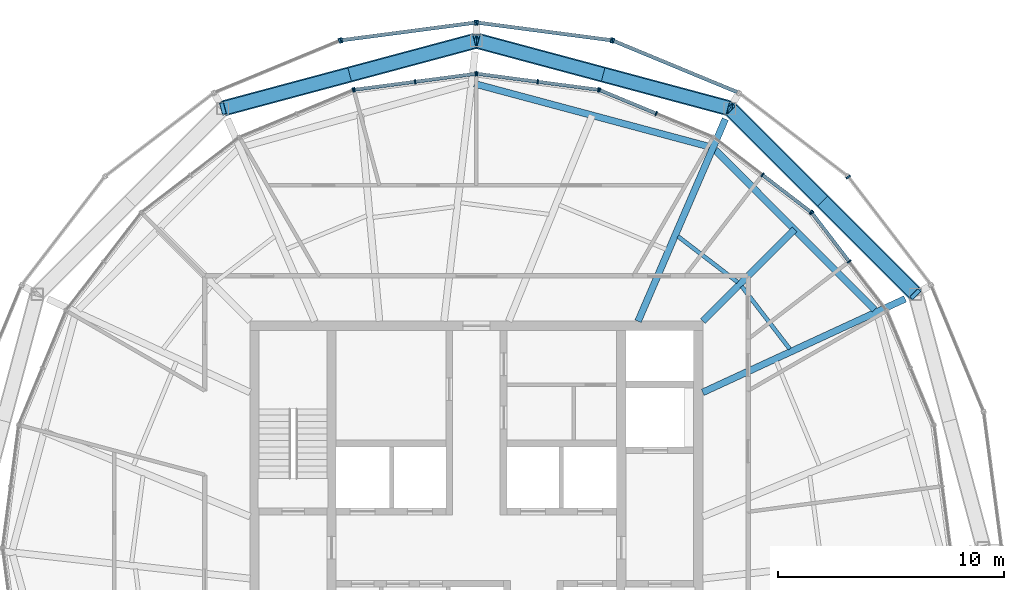
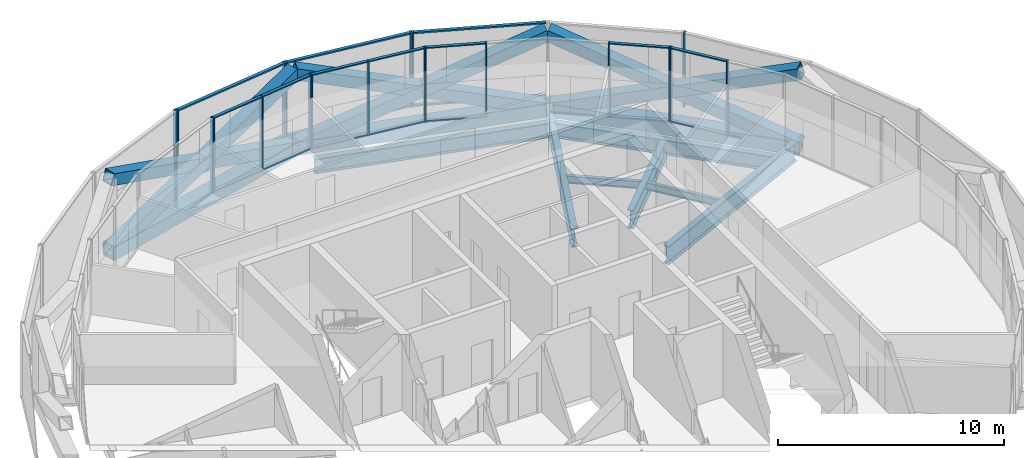
# One storey, part 8 of 17: 46 members, 10 beams, 11 elements without a shape of their own.
"""IFC4 building model written with IfcOpenShell, lengths in metres."""

from ifc_helpers import new_model, si_unit, direction, frame, origin, origin_2d, place, context, subcontext, project, spatial, rectangle, hollow_rectangle, i_section, extrude, material, material_profile, profile_set, type_object, element, aggregate, save


model = new_model("IFC4")

# Units and contexts
model_context = context("Model", 3, precision=1e-05, world=origin(), true_north=direction((0.0, 1.0)))
body_context = subcontext(model_context, "Body", "Model", "MODEL_VIEW")
ifc_project = project(units=[si_unit("LENGTHUNIT", "METRE"), si_unit("AREAUNIT", "SQUARE_METRE"), si_unit("VOLUMEUNIT", "CUBIC_METRE"), si_unit("PLANEANGLEUNIT", "RADIAN"), si_unit("MASSUNIT", "GRAM", prefix="KILO")], contexts=[model_context])

# Site, building, storey
site_placement = place(None, origin())
site = spatial("IfcSite", under=ifc_project, at=site_placement, CompositionType="ELEMENT")
building_placement = place(site_placement, origin())
building = spatial("IfcBuilding", under=site, at=building_placement, Name="Golbaran Civic Tower", CompositionType="ELEMENT")
storey_placement = place(building_placement, frame((0.0, 0.0, 280.0)))
storey = spatial("IfcBuildingStorey", under=building, at=storey_placement, Name="L68", CompositionType="ELEMENT", Elevation=280.0)

# Members
ifc_material_1 = material(Name="Steel S355", Category="steel")
ifc_material_profile_1 = material_profile(ifc_material_1, hollow_rectangle(XDim=0.60009765625, YDim=0.60009765625, WallThickness=0.050048828125, at=origin_2d()), Name="BOX 600x600x50")
ifc_profile_set_1 = profile_set([ifc_material_profile_1], Name="Steel S355")
member_type_1 = type_object("IfcMemberType", Name="CROWN FRAME LOWER BRACE BOX 600x600x50", PredefinedType="BRACE", material=ifc_profile_set_1)
for number, where, z_axis, x_axis, name in (
    (1, (19.39892578125, 11.199951171875, -0.7099609375), (-0.668449627768, 0.668449627768, 0.326113768911), (-0.707106781187, -0.707106781187, 0.0), "Crown frame lower brace 2A"),
    (2, (11.199951171875, 19.39892578125, -0.7099609375), (0.668449627768, -0.668449627768, 0.326113768911), (0.707106781187, 0.707106781187, 0.0), "Crown frame lower brace 2B"),
    (3, (11.199951171875, 19.39892578125, -0.7099609375), (-0.913119435827, 0.244666247524, 0.326115505975), (-0.258815721085, -0.965926716951, 0.0), "Crown frame lower brace 3A"),
    (4, (0.0, 22.39990234375, -0.7099609375), (0.913119435827, -0.244666247524, 0.326115505975), (0.258815721085, 0.965926716951, 0.0), "Crown frame lower brace 3B"),
    (5, (0.0, 22.39990234375, -0.7099609375), (-0.913119435827, -0.244666247524, 0.326115505975), (0.258815721085, -0.965926716951, 0.0), "Crown frame lower brace 4A"),
    (6, (-11.199951171875, 19.39892578125, -0.7099609375), (0.913119435827, 0.244666247524, 0.326115505975), (-0.258815721085, 0.965926716951, 0.0), "Crown frame lower brace 4B"),
):
    element("IfcMember", number, at=place(storey_placement, frame(where, z_axis=z_axis, x_axis=x_axis)), inside=storey, type_object=member_type_1, Name=name, PredefinedType="BRACE", context=body_context, shape_type="SweptSolid", body=[
        extrude(hollow_rectangle(XDim=0.60009765625, YDim=0.60009765625, WallThickness=0.050048828125, at=origin_2d()), origin(), (0.0, 0.0, 1.0), 12.265625),
    ])

# Beams
ifc_material_profile_2 = material_profile(ifc_material_1, hollow_rectangle(XDim=0.699951171875, YDim=0.699951171875, WallThickness=0.080078125, at=origin_2d()), Name="BOX 700x700x80")
ifc_profile_set_2 = profile_set([ifc_material_profile_2], Name="Steel S355")
beam_type_1 = type_object("IfcBeamType", Name="DIAGRID RING TIE BOX 700x700x80", PredefinedType="BEAM", material=ifc_profile_set_2)
beam_1_placement = place(storey_placement, frame((19.39892578125, 11.199951171875, -0.7099609375), z_axis=(-0.707106781187, 0.707106781187, 0.0), x_axis=(-0.707106781187, -0.707106781187, 0.0)))
element("IfcBeam", 7, at=beam_1_placement, inside=storey, type_object=beam_type_1, Name="Ring tie 30.00 L68", PredefinedType="BEAM", context=body_context, shape_type="SweptSolid", body=[
    extrude(hollow_rectangle(XDim=0.699951171875, YDim=0.699951171875, WallThickness=0.080078125, at=origin_2d()), origin(), (0.0, 0.0, 1.0), 11.59521484375),
])
for number, where, z_axis, x_axis, name in (
    (8, (11.199951171875, 19.39892578125, -0.7099609375), (-0.965926716951, 0.258815721085, 0.0), (-0.258815721085, -0.965926716951, 0.0), "Ring tie 60.00 L68"),
    (9, (0.0, 22.39990234375, -0.7099609375), (-0.965926716951, -0.258815721085, 0.0), (0.258815721085, -0.965926716951, 0.0), "Ring tie 90.00 L68"),
):
    element("IfcBeam", number, at=place(storey_placement, frame(where, z_axis=z_axis, x_axis=x_axis)), inside=storey, type_object=beam_type_1, Name=name, PredefinedType="BEAM", context=body_context, shape_type="SweptSolid", body=[
        extrude(hollow_rectangle(XDim=0.699951171875, YDim=0.699951171875, WallThickness=0.080078125, at=origin_2d()), origin(), (0.0, 0.0, 1.0), 11.594970703125),
    ])
ifc_material_profile_3 = material_profile(ifc_material_1, i_section(OverallWidth=0.300048828125, OverallDepth=0.800048828125, WebThickness=0.017578125, FlangeThickness=0.032958984375, FilletRadius=0.030029296875, at=origin_2d()), Name="HEB 800")
ifc_profile_set_3 = profile_set([ifc_material_profile_3], Name="Steel S355")
beam_type_2 = type_object("IfcBeamType", Name="EDGE BEAM HEB 800", PredefinedType="BEAM", material=ifc_profile_set_3)
beam_2_placement = place(storey_placement, frame((17.593994140625, 10.50927734375, -0.60009765625), z_axis=(-0.706273825307, 0.707938757017, 0.0), x_axis=(-0.707938757017, -0.706273825307, 0.0)))
element("IfcBeam", 10, at=beam_2_placement, inside=storey, type_object=beam_type_2, Name="Edge beam 30.00 L68", PredefinedType="BEAM", context=body_context, shape_type="SweptSolid", body=[
    extrude(i_section(OverallWidth=0.300048828125, OverallDepth=0.800048828125, WebThickness=0.017578125, FlangeThickness=0.032958984375, FilletRadius=0.030029296875, at=origin_2d()), origin(), (0.0, 0.0, 1.0), 9.971435546875),
])
beam_3_placement = place(storey_placement, frame((10.32568359375, 17.701416015625, -0.60009765625), z_axis=(-0.965909842094, 0.258878691562, 0.0), x_axis=(-0.258878691562, -0.965909842094, 0.0)))
element("IfcBeam", 11, at=beam_3_placement, inside=storey, type_object=beam_type_2, Name="Edge beam 60.00 L68", PredefinedType="BEAM", context=body_context, shape_type="SweptSolid", body=[
    extrude(i_section(OverallWidth=0.300048828125, OverallDepth=0.800048828125, WebThickness=0.017578125, FlangeThickness=0.032958984375, FilletRadius=0.030029296875, at=origin_2d()), origin(), (0.0, 0.0, 1.0), 10.7822265625),
])
ifc_material_profile_4 = material_profile(ifc_material_1, i_section(OverallWidth=0.179931640625, OverallDepth=0.39990234375, WebThickness=0.008544921875, FlangeThickness=0.013427734375, FilletRadius=0.02099609375, at=origin_2d()), Name="IPE 400")
ifc_profile_set_4 = profile_set([ifc_material_profile_4], Name="Steel S355")
beam_type_3 = type_object("IfcBeamType", Name="FLOOR INFILL BEAM IPE 400", PredefinedType="BEAM", material=ifc_profile_set_4)
beam_4_placement = place(storey_placement, frame((13.843505859375, 8.7763671875, -0.39990234375), z_axis=(-0.608734654071, 0.793373884705, 0.0), x_axis=(-0.793373884705, -0.608734654071, 0.0)))
element("IfcBeam", 12, at=beam_4_placement, inside=storey, type_object=beam_type_3, Name="Infill beam 37.50 L68", PredefinedType="BEAM", context=body_context, shape_type="SweptSolid", body=[
    extrude(i_section(OverallWidth=0.179931640625, OverallDepth=0.39990234375, WebThickness=0.008544921875, FlangeThickness=0.013427734375, FilletRadius=0.02099609375, at=origin_2d()), origin(), (0.0, 0.0, 1.0), 3.48291015625),
])
beam_5_placement = place(storey_placement, frame((11.541748046875, 11.7255859375, -0.39990234375), z_axis=(-0.793371165585, 0.60873819793, 0.0), x_axis=(-0.60873819793, -0.793371165585, 0.0)))
element("IfcBeam", 13, at=beam_5_placement, inside=storey, type_object=beam_type_3, Name="Infill beam 52.50 L68", PredefinedType="BEAM", context=body_context, shape_type="SweptSolid", body=[
    extrude(i_section(OverallWidth=0.179931640625, OverallDepth=0.39990234375, WebThickness=0.008544921875, FlangeThickness=0.013427734375, FilletRadius=0.02099609375, at=origin_2d()), origin(), (0.0, 0.0, 1.0), 3.32568359375),
])

# Curtain wall, members
ifc_material_2 = material(Name="Aluminium and glass", Category="aluminium")
curtain_wall_type_1 = type_object("IfcCurtainWallType", Name="INNER SKIN CURTAIN WALL EXECUTIVE", PredefinedType="NOTDEFINED", material=ifc_material_2)
curtain_wall_1_placement = place(storey_placement, origin())
curtain_wall_1 = element("IfcCurtainWall", 14, at=curtain_wall_1_placement, inside=storey, type_object=curtain_wall_type_1, Name="Inner skin L68 facet 3 CW2", ObjectType="INNER SKIN", PredefinedType="USERDEFINED")
ifc_material_3 = material(Name="Aluminium", Category="aluminium")
ifc_material_profile_5 = material_profile(ifc_material_3, rectangle(XDim=0.199951171875, YDim=0.06005859375, at=origin_2d()), Name="INNER SKIN CURTAIN WALL EXECUTIVE MULLION")
ifc_profile_set_5 = profile_set([ifc_material_profile_5], Name="Aluminium")
member_type_2 = type_object("IfcMemberType", Name="INNER SKIN CURTAIN WALL EXECUTIVE MULLION", PredefinedType="MULLION", material=ifc_profile_set_5)
member_1_placement = place(storey_placement, frame((16.46826171875, 12.63671875, 0.0), z_axis=(0.0, 0.0, 1.0), x_axis=(-0.793353340344, -0.608761428939, 0.0)))
member_1 = element("IfcMember", 15, at=member_1_placement, type_object=member_type_2, Name="CW2 mullion 2", PredefinedType="MULLION", context=body_context, shape_type="SweptSolid", body=[
    extrude(rectangle(XDim=0.199951171875, YDim=0.06005859375, at=origin_2d()), origin(), (0.0, 0.0, 1.0), 4.0),
])
member_2_placement = place(storey_placement, frame((14.822998046875, 14.781005859375, 0.0), z_axis=(0.0, 0.0, 1.0), x_axis=(-0.793353340344, -0.608761428939, 0.0)))
member_2 = element("IfcMember", 16, at=member_2_placement, type_object=member_type_2, Name="CW2 mullion 3", PredefinedType="MULLION", context=body_context, shape_type="SweptSolid", body=[
    extrude(rectangle(XDim=0.199951171875, YDim=0.06005859375, at=origin_2d()), origin(), (0.0, 0.0, 1.0), 4.0),
])

curtain_wall_2_placement = place(storey_placement, origin())
curtain_wall_2 = element("IfcCurtainWall", 17, at=curtain_wall_2_placement, inside=storey, type_object=curtain_wall_type_1, Name="Inner skin L68 facet 4 CW2", ObjectType="INNER SKIN", PredefinedType="USERDEFINED")
member_3_placement = place(storey_placement, frame((14.781005859375, 14.822998046875, 0.0), z_axis=(0.0, 0.0, 1.0), x_axis=(-0.608761428939, -0.793353340344, 0.0)))
member_3 = element("IfcMember", 18, at=member_3_placement, type_object=member_type_2, Name="CW2 mullion 1", PredefinedType="MULLION", context=body_context, shape_type="SweptSolid", body=[
    extrude(rectangle(XDim=0.199951171875, YDim=0.06005859375, at=origin_2d()), origin(), (0.0, 0.0, 1.0), 4.0),
])
member_4_placement = place(storey_placement, frame((12.63671875, 16.46826171875, 0.0), z_axis=(0.0, 0.0, 1.0), x_axis=(-0.608761428939, -0.793353340344, 0.0)))
member_4 = element("IfcMember", 19, at=member_4_placement, type_object=member_type_2, Name="CW2 mullion 2", PredefinedType="MULLION", context=body_context, shape_type="SweptSolid", body=[
    extrude(rectangle(XDim=0.199951171875, YDim=0.06005859375, at=origin_2d()), origin(), (0.0, 0.0, 1.0), 4.0),
])

curtain_wall_3_placement = place(storey_placement, origin())
curtain_wall_3 = element("IfcCurtainWall", 20, at=curtain_wall_3_placement, inside=storey, type_object=curtain_wall_type_1, Name="Inner skin L68 facet 5 CW2", ObjectType="INNER SKIN", PredefinedType="USERDEFINED")
member_5_placement = place(storey_placement, frame((7.943603515625, 19.177734375, 0.0), z_axis=(0.0, 0.0, 1.0), x_axis=(-0.382683432349, -0.923879532518, 0.0)))
member_5 = element("IfcMember", 21, at=member_5_placement, type_object=member_type_2, Name="CW2 mullion 2", PredefinedType="MULLION", context=body_context, shape_type="SweptSolid", body=[
    extrude(rectangle(XDim=0.199951171875, YDim=0.06005859375, at=origin_2d()), origin(), (0.0, 0.0, 1.0), 4.0),
])
member_6_placement = place(storey_placement, frame((5.446533203125, 20.212158203125, 0.0), z_axis=(0.0, 0.0, 1.0), x_axis=(-0.382683432349, -0.923879532518, 0.0)))
member_6 = element("IfcMember", 22, at=member_6_placement, type_object=member_type_2, Name="CW2 mullion 3", PredefinedType="MULLION", context=body_context, shape_type="SweptSolid", body=[
    extrude(rectangle(XDim=0.199951171875, YDim=0.06005859375, at=origin_2d()), origin(), (0.0, 0.0, 1.0), 4.0),
])

curtain_wall_4_placement = place(storey_placement, origin())
curtain_wall_4 = element("IfcCurtainWall", 23, at=curtain_wall_4_placement, inside=storey, type_object=curtain_wall_type_1, Name="Inner skin L68 facet 6 CW2", ObjectType="INNER SKIN", PredefinedType="USERDEFINED")
member_7_placement = place(storey_placement, frame((5.38916015625, 20.2275390625, 0.0), z_axis=(0.0, 0.0, 1.0), x_axis=(-0.130526192237, -0.991444861372, 0.0)))
member_7 = element("IfcMember", 24, at=member_7_placement, type_object=member_type_2, Name="CW2 mullion 1", PredefinedType="MULLION", context=body_context, shape_type="SweptSolid", body=[
    extrude(rectangle(XDim=0.199951171875, YDim=0.06005859375, at=origin_2d()), origin(), (0.0, 0.0, 1.0), 4.0),
])
member_8_placement = place(storey_placement, frame((2.70947265625, 20.580322265625, 0.0), z_axis=(0.0, 0.0, 1.0), x_axis=(-0.130526192237, -0.991444861372, 0.0)))
member_8 = element("IfcMember", 25, at=member_8_placement, type_object=member_type_2, Name="CW2 mullion 2", PredefinedType="MULLION", context=body_context, shape_type="SweptSolid", body=[
    extrude(rectangle(XDim=0.199951171875, YDim=0.06005859375, at=origin_2d()), origin(), (0.0, 0.0, 1.0), 4.0),
])
member_9_placement = place(storey_placement, frame((0.02978515625, 20.93310546875, 0.0), z_axis=(0.0, 0.0, 1.0), x_axis=(-0.130526192237, -0.991444861372, 0.0)))
member_9 = element("IfcMember", 26, at=member_9_placement, type_object=member_type_2, Name="CW2 mullion 3", PredefinedType="MULLION", context=body_context, shape_type="SweptSolid", body=[
    extrude(rectangle(XDim=0.199951171875, YDim=0.06005859375, at=origin_2d()), origin(), (0.0, 0.0, 1.0), 4.0),
])

curtain_wall_5_placement = place(storey_placement, origin())
curtain_wall_5 = element("IfcCurtainWall", 27, at=curtain_wall_5_placement, inside=storey, type_object=curtain_wall_type_1, Name="Inner skin L68 facet 7 CW2", ObjectType="INNER SKIN", PredefinedType="USERDEFINED")
member_10_placement = place(storey_placement, frame((-0.02978515625, 20.93310546875, 0.0), z_axis=(0.0, 0.0, 1.0), x_axis=(0.130526192237, -0.991444861372, 0.0)))
member_10 = element("IfcMember", 28, at=member_10_placement, type_object=member_type_2, Name="CW2 mullion 1", PredefinedType="MULLION", context=body_context, shape_type="SweptSolid", body=[
    extrude(rectangle(XDim=0.199951171875, YDim=0.06005859375, at=origin_2d()), origin(), (0.0, 0.0, 1.0), 4.0),
])
member_11_placement = place(storey_placement, frame((-2.70947265625, 20.580322265625, 0.0), z_axis=(0.0, 0.0, 1.0), x_axis=(0.130526192237, -0.991444861372, 0.0)))
member_11 = element("IfcMember", 29, at=member_11_placement, type_object=member_type_2, Name="CW2 mullion 2", PredefinedType="MULLION", context=body_context, shape_type="SweptSolid", body=[
    extrude(rectangle(XDim=0.199951171875, YDim=0.06005859375, at=origin_2d()), origin(), (0.0, 0.0, 1.0), 4.0),
])
member_12_placement = place(storey_placement, frame((-5.38916015625, 20.2275390625, 0.0), z_axis=(0.0, 0.0, 1.0), x_axis=(0.130526192237, -0.991444861372, 0.0)))
member_12 = element("IfcMember", 30, at=member_12_placement, type_object=member_type_2, Name="CW2 mullion 3", PredefinedType="MULLION", context=body_context, shape_type="SweptSolid", body=[
    extrude(rectangle(XDim=0.199951171875, YDim=0.06005859375, at=origin_2d()), origin(), (0.0, 0.0, 1.0), 4.0),
])

# Curtain wall, member
curtain_wall_6_placement = place(storey_placement, origin())
curtain_wall_6 = element("IfcCurtainWall", 31, at=curtain_wall_6_placement, inside=storey, type_object=curtain_wall_type_1, Name="Inner skin L68 facet 8 CW2", ObjectType="INNER SKIN", PredefinedType="USERDEFINED")
member_13_placement = place(storey_placement, frame((-5.446533203125, 20.212158203125, 0.0), z_axis=(0.0, 0.0, 1.0), x_axis=(0.382683432349, -0.923879532518, 0.0)))
member_13 = element("IfcMember", 32, at=member_13_placement, type_object=member_type_2, Name="CW2 mullion 1", PredefinedType="MULLION", context=body_context, shape_type="SweptSolid", body=[
    extrude(rectangle(XDim=0.199951171875, YDim=0.06005859375, at=origin_2d()), origin(), (0.0, 0.0, 1.0), 4.0),
])
aggregate(curtain_wall_6, [member_13])

# Member
ifc_material_profile_6 = material_profile(ifc_material_3, rectangle(XDim=0.14990234375, YDim=0.06005859375, at=origin_2d()), Name="INNER SKIN CURTAIN WALL EXECUTIVE TRANSOM")
ifc_profile_set_6 = profile_set([ifc_material_profile_6], Name="Aluminium")
member_type_3 = type_object("IfcMemberType", Name="INNER SKIN CURTAIN WALL EXECUTIVE TRANSOM", PredefinedType="USERDEFINED", material=ifc_profile_set_6)
member_14_placement = place(storey_placement, frame((16.449951171875, 12.660400390625, 0.030029296875), z_axis=(-0.60871466769, 0.793389219324, 0.0), x_axis=(-0.793389219324, -0.60871466769, 0.0)))
member_14 = element("IfcMember", 33, at=member_14_placement, type_object=member_type_3, Name="CW2 transom 2.1", ObjectType="TRANSOM", PredefinedType="USERDEFINED", context=body_context, shape_type="SweptSolid", body=[
    extrude(rectangle(XDim=0.14990234375, YDim=0.06005859375, at=origin_2d()), origin(), (0.0, 0.0, 1.0), 2.642578125),
])

member_15_placement = place(storey_placement, frame((16.449951171875, 12.660400390625, 3.969970703125), z_axis=(-0.60871466769, 0.793389219324, 0.0), x_axis=(-0.793389219324, -0.60871466769, 0.0)))
member_15 = element("IfcMember", 34, at=member_15_placement, type_object=member_type_3, Name="CW2 transom 2.2", ObjectType="TRANSOM", PredefinedType="USERDEFINED", context=body_context, shape_type="SweptSolid", body=[
    extrude(rectangle(XDim=0.14990234375, YDim=0.06005859375, at=origin_2d()), origin(), (0.0, 0.0, 1.0), 2.642578125),
])

aggregate(curtain_wall_1, [member_1, member_2, member_14, member_15])

member_16_placement = place(storey_placement, frame((14.757080078125, 14.84130859375, 0.030029296875), z_axis=(-0.793389219324, 0.60871466769, 0.0), x_axis=(-0.60871466769, -0.793389219324, 0.0)))
member_16 = element("IfcMember", 35, at=member_16_placement, type_object=member_type_3, Name="CW2 transom 1.1", ObjectType="TRANSOM", PredefinedType="USERDEFINED", context=body_context, shape_type="SweptSolid", body=[
    extrude(rectangle(XDim=0.14990234375, YDim=0.06005859375, at=origin_2d()), origin(), (0.0, 0.0, 1.0), 2.642578125),
])

member_17_placement = place(storey_placement, frame((14.757080078125, 14.84130859375, 3.969970703125), z_axis=(-0.793389219324, 0.60871466769, 0.0), x_axis=(-0.60871466769, -0.793389219324, 0.0)))
member_17 = element("IfcMember", 36, at=member_17_placement, type_object=member_type_3, Name="CW2 transom 1.2", ObjectType="TRANSOM", PredefinedType="USERDEFINED", context=body_context, shape_type="SweptSolid", body=[
    extrude(rectangle(XDim=0.14990234375, YDim=0.06005859375, at=origin_2d()), origin(), (0.0, 0.0, 1.0), 2.642578125),
])

aggregate(curtain_wall_2, [member_3, member_4, member_16, member_17])

member_18_placement = place(storey_placement, frame((7.916015625, 19.189208984375, 0.030029296875), z_axis=(-0.923864829386, 0.382718926922, 0.0), x_axis=(-0.382718926922, -0.923864829386, 0.0)))
member_18 = element("IfcMember", 37, at=member_18_placement, type_object=member_type_3, Name="CW2 transom 2.1", ObjectType="TRANSOM", PredefinedType="USERDEFINED", context=body_context, shape_type="SweptSolid", body=[
    extrude(rectangle(XDim=0.14990234375, YDim=0.06005859375, at=origin_2d()), origin(), (0.0, 0.0, 1.0), 2.642822265625),
])

member_19_placement = place(storey_placement, frame((7.916015625, 19.189208984375, 3.969970703125), z_axis=(-0.923864829386, 0.382718926922, 0.0), x_axis=(-0.382718926922, -0.923864829386, 0.0)))
member_19 = element("IfcMember", 38, at=member_19_placement, type_object=member_type_3, Name="CW2 transom 2.2", ObjectType="TRANSOM", PredefinedType="USERDEFINED", context=body_context, shape_type="SweptSolid", body=[
    extrude(rectangle(XDim=0.14990234375, YDim=0.06005859375, at=origin_2d()), origin(), (0.0, 0.0, 1.0), 2.642822265625),
])

aggregate(curtain_wall_3, [member_5, member_6, member_18, member_19])

member_20_placement = place(storey_placement, frame((5.359375, 20.2314453125, 0.030029296875), z_axis=(-0.991443601308, 0.130535763012, 0.0), x_axis=(-0.130535763012, -0.991443601308, 0.0)))
member_20 = element("IfcMember", 39, at=member_20_placement, type_object=member_type_3, Name="CW2 transom 1.1", ObjectType="TRANSOM", PredefinedType="USERDEFINED", context=body_context, shape_type="SweptSolid", body=[
    extrude(rectangle(XDim=0.14990234375, YDim=0.06005859375, at=origin_2d()), origin(), (0.0, 0.0, 1.0), 2.642822265625),
])

member_21_placement = place(storey_placement, frame((5.359375, 20.2314453125, 3.969970703125), z_axis=(-0.991443601308, 0.130535763012, 0.0), x_axis=(-0.130535763012, -0.991443601308, 0.0)))
member_21 = element("IfcMember", 40, at=member_21_placement, type_object=member_type_3, Name="CW2 transom 1.2", ObjectType="TRANSOM", PredefinedType="USERDEFINED", context=body_context, shape_type="SweptSolid", body=[
    extrude(rectangle(XDim=0.14990234375, YDim=0.06005859375, at=origin_2d()), origin(), (0.0, 0.0, 1.0), 2.642822265625),
])

member_22_placement = place(storey_placement, frame((2.6796875, 20.584228515625, 0.030029296875), z_axis=(-0.991443601308, 0.130535763012, 0.0), x_axis=(-0.130535763012, -0.991443601308, 0.0)))
member_22 = element("IfcMember", 41, at=member_22_placement, type_object=member_type_3, Name="CW2 transom 2.1", ObjectType="TRANSOM", PredefinedType="USERDEFINED", context=body_context, shape_type="SweptSolid", body=[
    extrude(rectangle(XDim=0.14990234375, YDim=0.06005859375, at=origin_2d()), origin(), (0.0, 0.0, 1.0), 2.642822265625),
])

member_23_placement = place(storey_placement, frame((2.6796875, 20.584228515625, 3.969970703125), z_axis=(-0.991443601308, 0.130535763012, 0.0), x_axis=(-0.130535763012, -0.991443601308, 0.0)))
member_23 = element("IfcMember", 42, at=member_23_placement, type_object=member_type_3, Name="CW2 transom 2.2", ObjectType="TRANSOM", PredefinedType="USERDEFINED", context=body_context, shape_type="SweptSolid", body=[
    extrude(rectangle(XDim=0.14990234375, YDim=0.06005859375, at=origin_2d()), origin(), (0.0, 0.0, 1.0), 2.642822265625),
])

aggregate(curtain_wall_4, [member_7, member_8, member_9, member_20, member_21, member_22, member_23])

member_24_placement = place(storey_placement, frame((-0.0595703125, 20.92919921875, 0.030029296875), z_axis=(-0.991443601308, -0.130535763012, 0.0), x_axis=(0.130535763012, -0.991443601308, 0.0)))
member_24 = element("IfcMember", 43, at=member_24_placement, type_object=member_type_3, Name="CW2 transom 1.1", ObjectType="TRANSOM", PredefinedType="USERDEFINED", context=body_context, shape_type="SweptSolid", body=[
    extrude(rectangle(XDim=0.14990234375, YDim=0.06005859375, at=origin_2d()), origin(), (0.0, 0.0, 1.0), 2.642822265625),
])

member_25_placement = place(storey_placement, frame((-0.0595703125, 20.92919921875, 3.969970703125), z_axis=(-0.991443601308, -0.130535763012, 0.0), x_axis=(0.130535763012, -0.991443601308, 0.0)))
member_25 = element("IfcMember", 44, at=member_25_placement, type_object=member_type_3, Name="CW2 transom 1.2", ObjectType="TRANSOM", PredefinedType="USERDEFINED", context=body_context, shape_type="SweptSolid", body=[
    extrude(rectangle(XDim=0.14990234375, YDim=0.06005859375, at=origin_2d()), origin(), (0.0, 0.0, 1.0), 2.642822265625),
])

member_26_placement = place(storey_placement, frame((-2.7392578125, 20.576416015625, 0.030029296875), z_axis=(-0.991443601308, -0.130535763012, 0.0), x_axis=(0.130535763012, -0.991443601308, 0.0)))
member_26 = element("IfcMember", 45, at=member_26_placement, type_object=member_type_3, Name="CW2 transom 2.1", ObjectType="TRANSOM", PredefinedType="USERDEFINED", context=body_context, shape_type="SweptSolid", body=[
    extrude(rectangle(XDim=0.14990234375, YDim=0.06005859375, at=origin_2d()), origin(), (0.0, 0.0, 1.0), 2.642822265625),
])

member_27_placement = place(storey_placement, frame((-2.7392578125, 20.576416015625, 3.969970703125), z_axis=(-0.991443601308, -0.130535763012, 0.0), x_axis=(0.130535763012, -0.991443601308, 0.0)))
member_27 = element("IfcMember", 46, at=member_27_placement, type_object=member_type_3, Name="CW2 transom 2.2", ObjectType="TRANSOM", PredefinedType="USERDEFINED", context=body_context, shape_type="SweptSolid", body=[
    extrude(rectangle(XDim=0.14990234375, YDim=0.06005859375, at=origin_2d()), origin(), (0.0, 0.0, 1.0), 2.642822265625),
])

aggregate(curtain_wall_5, [member_10, member_11, member_12, member_24, member_25, member_26, member_27])

# Curtain wall, member
curtain_wall_type_2 = type_object("IfcCurtainWallType", Name="OUTER SKIN TERRACOTTA SCREEN", PredefinedType="NOTDEFINED", material=ifc_material_2)
curtain_wall_7_placement = place(storey_placement, origin())
curtain_wall_7 = element("IfcCurtainWall", 47, at=curtain_wall_7_placement, inside=storey, type_object=curtain_wall_type_2, Name="Outer skin L68 facet 3 CW3", ObjectType="OUTER SKIN", PredefinedType="USERDEFINED")
ifc_material_profile_7 = material_profile(ifc_material_3, rectangle(XDim=0.219970703125, YDim=0.080078125, at=origin_2d()), Name="OUTER SKIN TERRACOTTA SCREEN MULLION")
ifc_profile_set_7 = profile_set([ifc_material_profile_7], Name="Aluminium")
member_type_4 = type_object("IfcMemberType", Name="OUTER SKIN TERRACOTTA SCREEN MULLION", PredefinedType="MULLION", material=ifc_profile_set_7)
member_28_placement = place(storey_placement, frame((16.42919921875, 16.373046875, -0.7099609375), z_axis=(0.0, 0.0, 1.0), x_axis=(-0.793353340344, -0.608761428939, 0.0)))
member_28 = element("IfcMember", 48, at=member_28_placement, type_object=member_type_4, Name="CW3 mullion 2", PredefinedType="MULLION", context=body_context, shape_type="SweptSolid", body=[
    extrude(rectangle(XDim=0.219970703125, YDim=0.080078125, at=origin_2d()), origin(), (0.0, 0.0, 1.0), 4.0),
])
aggregate(curtain_wall_7, [member_28])

curtain_wall_8_placement = place(storey_placement, origin())
curtain_wall_8 = element("IfcCurtainWall", 49, at=curtain_wall_8_placement, inside=storey, type_object=curtain_wall_type_2, Name="Outer skin L68 facet 5 CW3", ObjectType="OUTER SKIN", PredefinedType="USERDEFINED")
member_29_placement = place(storey_placement, frame((6.04150390625, 22.394287109375, -0.7099609375), z_axis=(0.0, 0.0, 1.0), x_axis=(-0.382683432333, -0.923879532525, 0.0)))
member_29 = element("IfcMember", 50, at=member_29_placement, type_object=member_type_4, Name="CW3 mullion 2", PredefinedType="MULLION", context=body_context, shape_type="SweptSolid", body=[
    extrude(rectangle(XDim=0.219970703125, YDim=0.080078125, at=origin_2d()), origin(), (0.0, 0.0, 1.0), 4.0),
])

# Curtain wall, members
curtain_wall_9_placement = place(storey_placement, origin())
curtain_wall_9 = element("IfcCurtainWall", 51, at=curtain_wall_9_placement, inside=storey, type_object=curtain_wall_type_2, Name="Outer skin L68 facet 6 CW3", ObjectType="OUTER SKIN", PredefinedType="USERDEFINED")
member_30_placement = place(storey_placement, frame((5.96484375, 22.414794921875, -0.7099609375), z_axis=(0.0, 0.0, 1.0), x_axis=(-0.13052619222, -0.991444861374, 0.0)))
member_30 = element("IfcMember", 52, at=member_30_placement, type_object=member_type_4, Name="CW3 mullion 1", PredefinedType="MULLION", context=body_context, shape_type="SweptSolid", body=[
    extrude(rectangle(XDim=0.219970703125, YDim=0.080078125, at=origin_2d()), origin(), (0.0, 0.0, 1.0), 4.0),
])
member_31_placement = place(storey_placement, frame((0.03955078125, 23.19482421875, -0.7099609375), z_axis=(0.0, 0.0, 1.0), x_axis=(-0.13052619222, -0.991444861374, 0.0)))
member_31 = element("IfcMember", 53, at=member_31_placement, type_object=member_type_4, Name="CW3 mullion 2", PredefinedType="MULLION", context=body_context, shape_type="SweptSolid", body=[
    extrude(rectangle(XDim=0.219970703125, YDim=0.080078125, at=origin_2d()), origin(), (0.0, 0.0, 1.0), 4.0),
])

curtain_wall_10_placement = place(storey_placement, origin())
curtain_wall_10 = element("IfcCurtainWall", 54, at=curtain_wall_10_placement, inside=storey, type_object=curtain_wall_type_2, Name="Outer skin L68 facet 7 CW3", ObjectType="OUTER SKIN", PredefinedType="USERDEFINED")
member_32_placement = place(storey_placement, frame((-0.03955078125, 23.19482421875, -0.7099609375), z_axis=(0.0, 0.0, 1.0), x_axis=(0.13052619222, -0.991444861374, 0.0)))
member_32 = element("IfcMember", 55, at=member_32_placement, type_object=member_type_4, Name="CW3 mullion 1", PredefinedType="MULLION", context=body_context, shape_type="SweptSolid", body=[
    extrude(rectangle(XDim=0.219970703125, YDim=0.080078125, at=origin_2d()), origin(), (0.0, 0.0, 1.0), 4.0),
])
member_33_placement = place(storey_placement, frame((-5.96484375, 22.414794921875, -0.7099609375), z_axis=(0.0, 0.0, 1.0), x_axis=(0.13052619222, -0.991444861374, 0.0)))
member_33 = element("IfcMember", 56, at=member_33_placement, type_object=member_type_4, Name="CW3 mullion 2", PredefinedType="MULLION", context=body_context, shape_type="SweptSolid", body=[
    extrude(rectangle(XDim=0.219970703125, YDim=0.080078125, at=origin_2d()), origin(), (0.0, 0.0, 1.0), 4.0),
])

# Curtain wall, member
curtain_wall_11_placement = place(storey_placement, origin())
curtain_wall_11 = element("IfcCurtainWall", 57, at=curtain_wall_11_placement, inside=storey, type_object=curtain_wall_type_2, Name="Outer skin L68 facet 8 CW3", ObjectType="OUTER SKIN", PredefinedType="USERDEFINED")
member_34_placement = place(storey_placement, frame((-6.04150390625, 22.394287109375, -0.7099609375), z_axis=(0.0, 0.0, 1.0), x_axis=(0.382683432333, -0.923879532525, 0.0)))
member_34 = element("IfcMember", 58, at=member_34_placement, type_object=member_type_4, Name="CW3 mullion 1", PredefinedType="MULLION", context=body_context, shape_type="SweptSolid", body=[
    extrude(rectangle(XDim=0.219970703125, YDim=0.080078125, at=origin_2d()), origin(), (0.0, 0.0, 1.0), 4.0),
])
aggregate(curtain_wall_11, [member_34])

# Member
ifc_material_profile_8 = material_profile(ifc_material_3, rectangle(XDim=0.159912109375, YDim=0.080078125, at=origin_2d()), Name="OUTER SKIN TERRACOTTA SCREEN TRANSOM")
ifc_profile_set_8 = profile_set([ifc_material_profile_8], Name="Aluminium")
member_type_5 = type_object("IfcMemberType", Name="OUTER SKIN TERRACOTTA SCREEN TRANSOM", PredefinedType="USERDEFINED", material=ifc_profile_set_8)
member_35_placement = place(storey_placement, frame((11.526123046875, 20.122314453125, -0.669921875), z_axis=(-0.923869976214, 0.382706502494, 0.0), x_axis=(-0.382706502494, -0.923869976214, 0.0)))
member_35 = element("IfcMember", 59, at=member_35_placement, type_object=member_type_5, Name="CW3 transom 1.1", ObjectType="TRANSOM", PredefinedType="USERDEFINED", context=body_context, shape_type="SweptSolid", body=[
    extrude(rectangle(XDim=0.159912109375, YDim=0.080078125, at=origin_2d()), origin(), (0.0, 0.0, 1.0), 5.896484375),
])

member_36_placement = place(storey_placement, frame((11.526123046875, 20.122314453125, 3.25), z_axis=(-0.923869976214, 0.382706502494, 0.0), x_axis=(-0.382706502494, -0.923869976214, 0.0)))
member_36 = element("IfcMember", 60, at=member_36_placement, type_object=member_type_5, Name="CW3 transom 1.2", ObjectType="TRANSOM", PredefinedType="USERDEFINED", context=body_context, shape_type="SweptSolid", body=[
    extrude(rectangle(XDim=0.159912109375, YDim=0.080078125, at=origin_2d()), origin(), (0.0, 0.0, 1.0), 5.896484375),
])

aggregate(curtain_wall_8, [member_29, member_35, member_36])

member_37_placement = place(storey_placement, frame((5.92529296875, 22.419921875, -0.669921875), z_axis=(-0.991447106617, 0.130509136774, 0.0), x_axis=(-0.130509136774, -0.991447106617, 0.0)))
member_37 = element("IfcMember", 61, at=member_37_placement, type_object=member_type_5, Name="CW3 transom 1.1", ObjectType="TRANSOM", PredefinedType="USERDEFINED", context=body_context, shape_type="SweptSolid", body=[
    extrude(rectangle(XDim=0.159912109375, YDim=0.080078125, at=origin_2d()), origin(), (0.0, 0.0, 1.0), 5.896484375),
])

member_38_placement = place(storey_placement, frame((5.92529296875, 22.419921875, 3.25), z_axis=(-0.991447106617, 0.130509136774, 0.0), x_axis=(-0.130509136774, -0.991447106617, 0.0)))
member_38 = element("IfcMember", 62, at=member_38_placement, type_object=member_type_5, Name="CW3 transom 1.2", ObjectType="TRANSOM", PredefinedType="USERDEFINED", context=body_context, shape_type="SweptSolid", body=[
    extrude(rectangle(XDim=0.159912109375, YDim=0.080078125, at=origin_2d()), origin(), (0.0, 0.0, 1.0), 5.896484375),
])

aggregate(curtain_wall_9, [member_30, member_31, member_37, member_38])

member_39_placement = place(storey_placement, frame((-0.079345703125, 23.189453125, -0.669921875), z_axis=(-0.991447106617, -0.130509136774, 0.0), x_axis=(0.130509136774, -0.991447106617, 0.0)))
member_39 = element("IfcMember", 63, at=member_39_placement, type_object=member_type_5, Name="CW3 transom 1.1", ObjectType="TRANSOM", PredefinedType="USERDEFINED", context=body_context, shape_type="SweptSolid", body=[
    extrude(rectangle(XDim=0.159912109375, YDim=0.080078125, at=origin_2d()), origin(), (0.0, 0.0, 1.0), 5.896484375),
])

member_40_placement = place(storey_placement, frame((-0.079345703125, 23.189453125, 3.25), z_axis=(-0.991447106617, -0.130509136774, 0.0), x_axis=(0.130509136774, -0.991447106617, 0.0)))
member_40 = element("IfcMember", 64, at=member_40_placement, type_object=member_type_5, Name="CW3 transom 1.2", ObjectType="TRANSOM", PredefinedType="USERDEFINED", context=body_context, shape_type="SweptSolid", body=[
    extrude(rectangle(XDim=0.159912109375, YDim=0.080078125, at=origin_2d()), origin(), (0.0, 0.0, 1.0), 5.896484375),
])

aggregate(curtain_wall_10, [member_32, member_33, member_39, member_40])

# Beams
ifc_material_profile_9 = material_profile(ifc_material_1, i_section(OverallWidth=0.300048828125, OverallDepth=1.0, WebThickness=0.01904296875, FlangeThickness=0.035888671875, FilletRadius=0.030029296875, at=origin_2d()), Name="HEB 1000")
ifc_profile_set_9 = profile_set([ifc_material_profile_9], Name="Steel S355")
beam_type_4 = type_object("IfcBeamType", Name="RADIAL FLOOR BEAM HEB 1000", PredefinedType="BEAM", material=ifc_profile_set_9)
beam_6_placement = place(storey_placement, frame((10.0, 6.857177734375, -0.7099609375), z_axis=(0.907779382464, 0.419447961938, 0.0), x_axis=(-0.419447961938, 0.907779382464, 0.0)))
element("IfcBeam", 65, at=beam_6_placement, inside=storey, type_object=beam_type_4, Name="Radial beam 30.00 L68", PredefinedType="BEAM", context=body_context, shape_type="SweptSolid", body=[
    extrude(i_section(OverallWidth=0.300048828125, OverallDepth=1.0, WebThickness=0.01904296875, FlangeThickness=0.035888671875, FilletRadius=0.030029296875, at=origin_2d()), origin(), (0.0, 0.0, 1.0), 9.849609375),
])
beam_7_placement = place(storey_placement, frame((7.142822265625, 10.0, -0.7099609375), z_axis=(0.396310096552, 0.918116717728, 0.0), x_axis=(-0.918116717728, 0.396310096552, 0.0)))
element("IfcBeam", 66, at=beam_7_placement, inside=storey, type_object=beam_type_4, Name="Radial beam 60.00 L68", PredefinedType="BEAM", context=body_context, shape_type="SweptSolid", body=[
    extrude(i_section(OverallWidth=0.300048828125, OverallDepth=1.0, WebThickness=0.01904296875, FlangeThickness=0.035888671875, FilletRadius=0.030029296875, at=origin_2d()), origin(), (0.0, 0.0, 1.0), 9.73095703125),
])
ifc_material_profile_10 = material_profile(ifc_material_1, i_section(OverallWidth=0.300048828125, OverallDepth=1.0, WebThickness=0.01904296875, FlangeThickness=0.035888671875, FilletRadius=0.030029296875, at=origin_2d()), Name="HEB 1000")
ifc_profile_set_10 = profile_set([ifc_material_profile_10], Name="Steel S355")
beam_type_5 = type_object("IfcBeamType", Name="SECONDARY FLOOR BEAM HEB 1000", PredefinedType="BEAM", material=ifc_profile_set_10)
beam_8_placement = place(storey_placement, frame((10.0, 10.0, -0.7099609375), z_axis=(0.707106781187, 0.707106781187, 0.0), x_axis=(-0.707106781187, 0.707106781187, 0.0)))
element("IfcBeam", 67, at=beam_8_placement, inside=storey, type_object=beam_type_5, Name="Secondary beam 45.00 L68", PredefinedType="BEAM", context=body_context, shape_type="SweptSolid", body=[
    extrude(i_section(OverallWidth=0.300048828125, OverallDepth=1.0, WebThickness=0.01904296875, FlangeThickness=0.035888671875, FilletRadius=0.030029296875, at=origin_2d()), origin(), (0.0, 0.0, 1.0), 5.735595703125),
])

save(model, "model.ifc")
